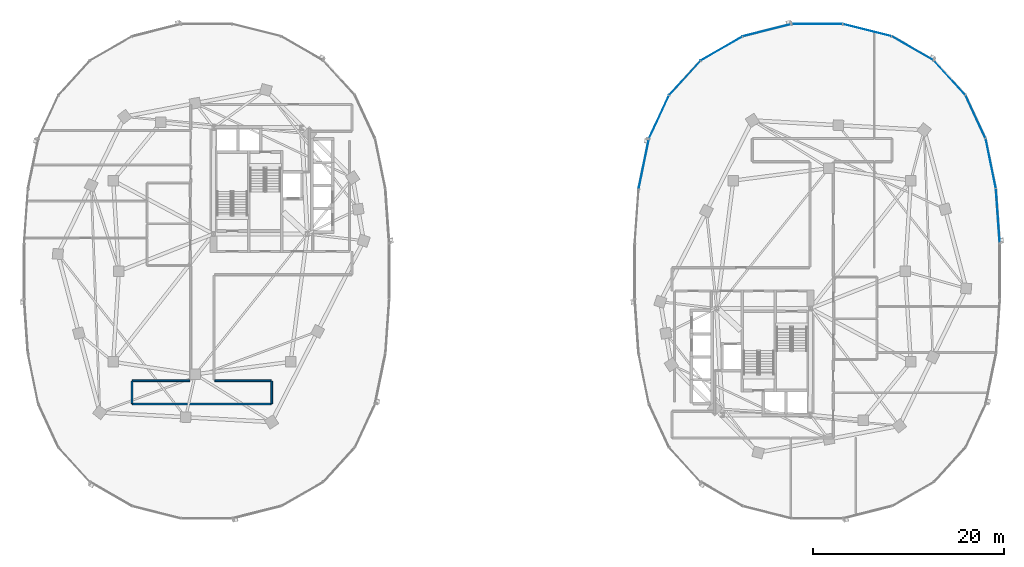
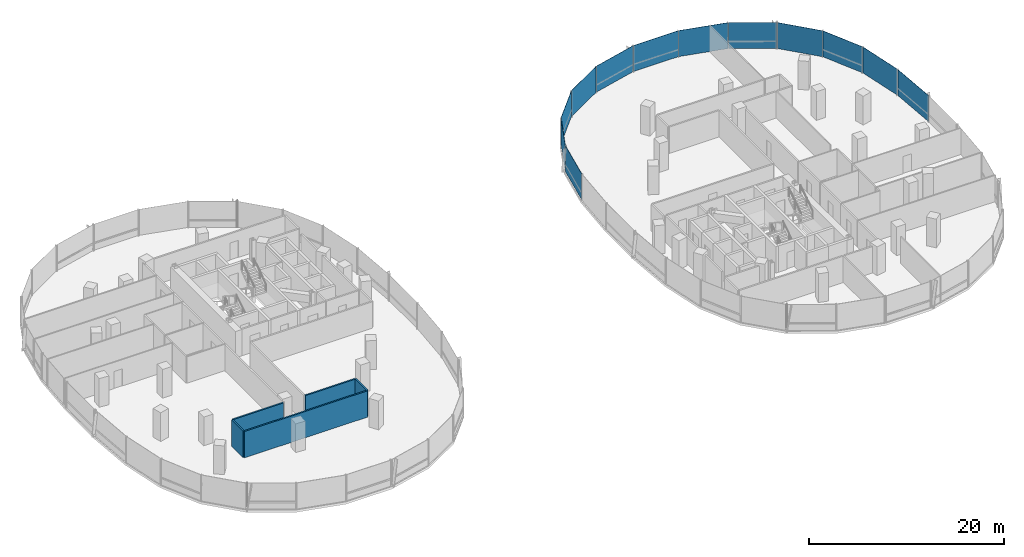
# One storey, part 10 of 21: 12 plates, 5 walls, 2 elements without a shape of their own.
"""IFC4 building model written with IfcOpenShell, lengths in metres."""

from ifc_helpers import new_model, si_unit, direction, frame, frame_2d, origin, origin_2d, place, context, subcontext, project, spatial, rectangle, extrude, material, layer, layer_set, type_object, element, aggregate, save


model = new_model("IFC4")

# Units and contexts
model_context = context("Model", 3, precision=1e-05, world=origin(), true_north=direction((0.0, 1.0)))
body_context = subcontext(model_context, "Body", "Model", "MODEL_VIEW")
ifc_project = project(units=[si_unit("LENGTHUNIT", "METRE"), si_unit("AREAUNIT", "SQUARE_METRE"), si_unit("VOLUMEUNIT", "CUBIC_METRE"), si_unit("PLANEANGLEUNIT", "RADIAN"), si_unit("MASSUNIT", "GRAM", prefix="KILO"), si_unit("THERMODYNAMICTEMPERATUREUNIT", "KELVIN"), si_unit("POWERUNIT", "WATT")], contexts=[model_context])

# Site, building, storey
site_placement = place(None, origin())
site = spatial("IfcSite", under=ifc_project, at=site_placement, CompositionType="ELEMENT")
building_placement = place(site_placement, origin())
building = spatial("IfcBuilding", under=site, at=building_placement, Name="Cundina Bronze Exchange", CompositionType="ELEMENT")
storey_placement = place(building_placement, frame((0.0, 0.0, 89.0)))
storey = spatial("IfcBuildingStorey", under=building, at=storey_placement, Name="L22", CompositionType="ELEMENT", Elevation=89.0)

# Curtain wall, plates
ifc_material_1 = material(Name="Anodised Bronze Aluminium 6063-T6", Category="aluminium")
curtain_wall_type = type_object("IfcCurtainWallType", Name="CWS-TRD-MID", PredefinedType="NOTDEFINED", material=ifc_material_1)
curtain_wall_1_placement = place(storey_placement, origin())
curtain_wall_1 = element("IfcCurtainWall", 1, at=curtain_wall_1_placement, inside=storey, type_object=curtain_wall_type, Name="L22 CW-03 Curtain Wall Run CWR-L22-E1", PredefinedType="NOTDEFINED")
ifc_material_2 = material(Name="Heat-Strengthened Solar-Control Bronze Safety Glass 28mm", Category="glass")
ifc_layer_1 = layer(ifc_material_2, 0.028076171875, Name="Heat-Strengthened Solar-Control Bronze Safety Glass 28mm", Category="glass")
ifc_layer_set_1 = layer_set([ifc_layer_1], Name="Heat-Strengthened Solar-Control Bronze Safety Glass 28mm")
plate_type_1 = type_object("IfcPlateType", Name="PLT-GLZ-VIS28", PredefinedType="CURTAIN_PANEL", material=ifc_layer_set_1)
plate_1_placement = place(storey_placement, frame((50.9267578125, 5.783935546875, 0.02001953125), z_axis=(0.0, 0.0, 1.0), x_axis=(-0.070278787473, 0.997527389113, 0.0)))
plate_1 = element("IfcPlate", 2, at=plate_1_placement, type_object=plate_type_1, Name="CW-03 Glazed Panel 1", PredefinedType="CURTAIN_PANEL", context=body_context, shape_type="SweptSolid", body=[
    extrude(rectangle(XDim=5.644287109375, YDim=0.028076171875, at=origin_2d()), origin(), (0.0, 0.0, 1.0), 3.260009765625),
])
plate_2_placement = place(storey_placement, frame((50.18408203125, 11.269775390625, 0.02001953125), z_axis=(0.0, 0.0, 1.0), x_axis=(-0.201419845156, 0.979505000486, 0.0)))
plate_2 = element("IfcPlate", 3, at=plate_2_placement, type_object=plate_type_1, Name="CW-03 Glazed Panel 2", PredefinedType="CURTAIN_PANEL", context=body_context, shape_type="SweptSolid", body=[
    extrude(rectangle(XDim=5.306640625, YDim=0.028076171875, at=origin_2d()), origin(), (0.0, 0.0, 1.0), 3.260009765625),
])
plate_3_placement = place(storey_placement, frame((45.8740234375, 20.267333984375, 0.02001953125), z_axis=(0.0, 0.0, 1.0), x_axis=(-0.674276610219, 0.73847887777, 0.0)))
plate_3 = element("IfcPlate", 4, at=plate_3_placement, type_object=plate_type_1, Name="CW-03 Glazed Panel 4", PredefinedType="CURTAIN_PANEL", context=body_context, shape_type="SweptSolid", body=[
    extrude(rectangle(XDim=4.86328125, YDim=0.028076171875, at=origin_2d()), origin(), (0.0, 0.0, 1.0), 3.260009765625),
])
plate_4_placement = place(storey_placement, frame((42.019287109375, 23.34423828125, 0.02001953125), z_axis=(0.0, 0.0, 1.0), x_axis=(-0.867105478933, 0.498124571171, 0.0)))
plate_4 = element("IfcPlate", 5, at=plate_4_placement, type_object=plate_type_1, Name="CW-03 Glazed Panel 5", PredefinedType="CURTAIN_PANEL", context=body_context, shape_type="SweptSolid", body=[
    extrude(rectangle(XDim=5.021240234375, YDim=0.028076171875, at=origin_2d()), origin(), (0.0, 0.0, 1.0), 3.260009765625),
])
plate_5_placement = place(storey_placement, frame((37.255615234375, 25.256591796875, 0.02001953125), z_axis=(0.0, 0.0, 1.0), x_axis=(-0.969488149345, 0.245138182011, 0.0)))
plate_5 = element("IfcPlate", 6, at=plate_5_placement, type_object=plate_type_1, Name="CW-03 Glazed Panel 6", PredefinedType="CURTAIN_PANEL", context=body_context, shape_type="SweptSolid", body=[
    extrude(rectangle(XDim=5.2333984375, YDim=0.028076171875, at=origin_2d()), origin(), (0.0, 0.0, 1.0), 3.260009765625),
])
plate_6_placement = place(storey_placement, frame((32.0, 25.905029296875, 0.02001953125), z_axis=(0.0, 0.0, 1.0), x_axis=(-1.0, 0.0, 0.0)))
plate_6 = element("IfcPlate", 7, at=plate_6_placement, type_object=plate_type_1, Name="CW-03 Glazed Panel 7", PredefinedType="CURTAIN_PANEL", context=body_context, shape_type="SweptSolid", body=[
    extrude(rectangle(XDim=5.323974609375, YDim=0.028076171875, at=origin_2d()), origin(), (0.0, 0.0, 1.0), 3.260009765625),
])

curtain_wall_2_placement = place(storey_placement, origin())
curtain_wall_2 = element("IfcCurtainWall", 8, at=curtain_wall_2_placement, inside=storey, type_object=curtain_wall_type, Name="L22 CW-03 Curtain Wall Run CWR-L22-E2", PredefinedType="NOTDEFINED")
plate_7_placement = place(storey_placement, frame((26.744384765625, 25.256591796875, 0.02001953125), z_axis=(0.0, 0.0, 1.0), x_axis=(-0.969488149345, -0.245138182011, 0.0)))
plate_7 = element("IfcPlate", 9, at=plate_7_placement, type_object=plate_type_1, Name="CW-03 Glazed Panel 1", PredefinedType="CURTAIN_PANEL", context=body_context, shape_type="SweptSolid", body=[
    extrude(rectangle(XDim=5.2333984375, YDim=0.028076171875, at=origin_2d()), origin(), (0.0, 0.0, 1.0), 3.260009765625),
])
plate_8_placement = place(storey_placement, frame((18.1259765625, 20.267333984375, 0.02001953125), z_axis=(0.0, 0.0, 1.0), x_axis=(-0.674276610219, -0.73847887777, 0.0)))
plate_8 = element("IfcPlate", 10, at=plate_8_placement, type_object=plate_type_1, Name="CW-03 Glazed Panel 3", PredefinedType="CURTAIN_PANEL", context=body_context, shape_type="SweptSolid", body=[
    extrude(rectangle(XDim=4.86328125, YDim=0.028076171875, at=origin_2d()), origin(), (0.0, 0.0, 1.0), 3.260009765625),
])
plate_9_placement = place(storey_placement, frame((15.413818359375, 16.177734375, 0.02001953125), z_axis=(0.0, 0.0, 1.0), x_axis=(-0.42084583328, -0.907132175932, 0.0)))
plate_9 = element("IfcPlate", 11, at=plate_9_placement, type_object=plate_type_1, Name="CW-03 Glazed Panel 4", PredefinedType="CURTAIN_PANEL", context=body_context, shape_type="SweptSolid", body=[
    extrude(rectangle(XDim=4.966552734375, YDim=0.028076171875, at=origin_2d()), origin(), (0.0, 0.0, 1.0), 3.260009765625),
])
plate_10_placement = place(storey_placement, frame((13.81591796875, 11.269775390625, 0.02001953125), z_axis=(0.0, 0.0, 1.0), x_axis=(-0.201419845156, -0.979505000486, 0.0)))
plate_10 = element("IfcPlate", 12, at=plate_10_placement, type_object=plate_type_1, Name="CW-03 Glazed Panel 5", PredefinedType="CURTAIN_PANEL", context=body_context, shape_type="SweptSolid", body=[
    extrude(rectangle(XDim=5.306640625, YDim=0.028076171875, at=origin_2d()), origin(), (0.0, 0.0, 1.0), 3.260009765625),
])

# Plate
ifc_material_3 = material(Name="Dark Bronze Spandrel Glass Panel 32mm", Category="glass")
ifc_layer_2 = layer(ifc_material_3, 0.031982421875, Name="Dark Bronze Spandrel Glass Panel 32mm", Category="glass")
ifc_layer_set_2 = layer_set([ifc_layer_2], Name="Dark Bronze Spandrel Glass Panel 32mm")
plate_type_2 = type_object("IfcPlateType", Name="PLT-SPN-BRZ32", PredefinedType="CURTAIN_PANEL", material=ifc_layer_set_2)
plate_11_placement = place(storey_placement, frame((48.586181640625, 16.177734375, 0.02001953125), z_axis=(0.0, 0.0, 1.0), x_axis=(-0.42084583328, 0.907132175932, 0.0)))
plate_11 = element("IfcPlate", 13, at=plate_11_placement, type_object=plate_type_2, Name="CW-03 Glazed Panel 3", PredefinedType="CURTAIN_PANEL", context=body_context, shape_type="SweptSolid", body=[
    extrude(rectangle(XDim=4.966552734375, YDim=0.031982421875, at=origin_2d()), origin(), (0.0, 0.0, 1.0), 3.260009765625),
])

aggregate(curtain_wall_1, [plate_1, plate_2, plate_11, plate_3, plate_4, plate_5, plate_6])

plate_12_placement = place(storey_placement, frame((21.980712890625, 23.34423828125, 0.02001953125), z_axis=(0.0, 0.0, 1.0), x_axis=(-0.867105478933, -0.498124571171, 0.0)))
plate_12 = element("IfcPlate", 14, at=plate_12_placement, type_object=plate_type_2, Name="CW-03 Glazed Panel 2", PredefinedType="CURTAIN_PANEL", context=body_context, shape_type="SweptSolid", body=[
    extrude(rectangle(XDim=5.021240234375, YDim=0.031982421875, at=origin_2d()), origin(), (0.0, 0.0, 1.0), 3.260009765625),
])

aggregate(curtain_wall_2, [plate_7, plate_12, plate_8, plate_9, plate_10])

# Walls
ifc_material_4 = material(Name="Gypsum Fireboard Partition EI120")
ifc_layer_3 = layer(ifc_material_4, 0.179931640625, Name="Gypsum Fireboard Partition EI120")
ifc_layer_set_3 = layer_set([ifc_layer_3], Name="Gypsum Fireboard Partition EI120")
wall_type = type_object("IfcWallType", Name="WL-COR-180", PredefinedType="PARTITIONING", material=ifc_layer_set_3)
wall_1_placement = place(storey_placement, frame((-39.778564453125, -13.919921875, 0.0), z_axis=(0.0, 0.0, 1.0), x_axis=(1.0, 0.0, 0.0)))
element("IfcWall", 15, at=wall_1_placement, inside=storey, type_object=wall_type, Name="L22 Interior Partition 019", PredefinedType="PARTITIONING", context=body_context, shape_type="SweptSolid", body=[
    extrude(rectangle(XDim=14.55712890625, YDim=0.179931640625, at=frame_2d((7.278564453125, 0.0))), origin(), (0.0, 0.0, 1.0), 3.300048828125),
])
wall_2_placement = place(storey_placement, frame((-33.75, -11.47998046875, 0.0), z_axis=(0.0, 0.0, 1.0), x_axis=(-1.0, 0.0, 0.0)))
element("IfcWall", 16, at=wall_2_placement, inside=storey, type_object=wall_type, Name="L22 Interior Partition 023", PredefinedType="PARTITIONING", context=body_context, shape_type="SweptSolid", body=[
    extrude(rectangle(XDim=6.028564453125, YDim=0.179931640625, at=frame_2d((3.01416015625, 0.0))), origin(), (0.0, 0.0, 1.0), 3.300048828125),
])
wall_3_placement = place(storey_placement, frame((-25.221435546875, -11.47998046875, 0.0), z_axis=(0.0, 0.0, 1.0), x_axis=(-1.0, 0.0, 0.0)))
element("IfcWall", 17, at=wall_3_placement, inside=storey, type_object=wall_type, Name="L22 Interior Partition 024", PredefinedType="PARTITIONING", context=body_context, shape_type="SweptSolid", body=[
    extrude(rectangle(XDim=5.928466796875, YDim=0.179931640625, at=frame_2d((2.96435546875, 0.0))), origin(), (0.0, 0.0, 1.0), 3.300048828125),
])
for number, where, z_axis, x_axis, name in (
    (18, (-39.820068359375, -11.521484375, 0.0), (0.0, 0.0, 1.0), (0.0, -1.0, 0.0), "L22 Interior Partition 029"),
    (19, (-25.179931640625, -13.87841796875, 0.0), (0.0, 0.0, 1.0), (0.0, 1.0, 0.0), "L22 Interior Partition 030"),
):
    element("IfcWall", number, at=place(storey_placement, frame(where, z_axis=z_axis, x_axis=x_axis)), inside=storey, type_object=wall_type, Name=name, PredefinedType="PARTITIONING", context=body_context, shape_type="SweptSolid", body=[
        extrude(rectangle(XDim=2.35693359375, YDim=0.179931640625, at=frame_2d((1.178466796875, 0.0))), origin(), (0.0, 0.0, 1.0), 3.300048828125),
    ])

save(model, "model.ifc")
